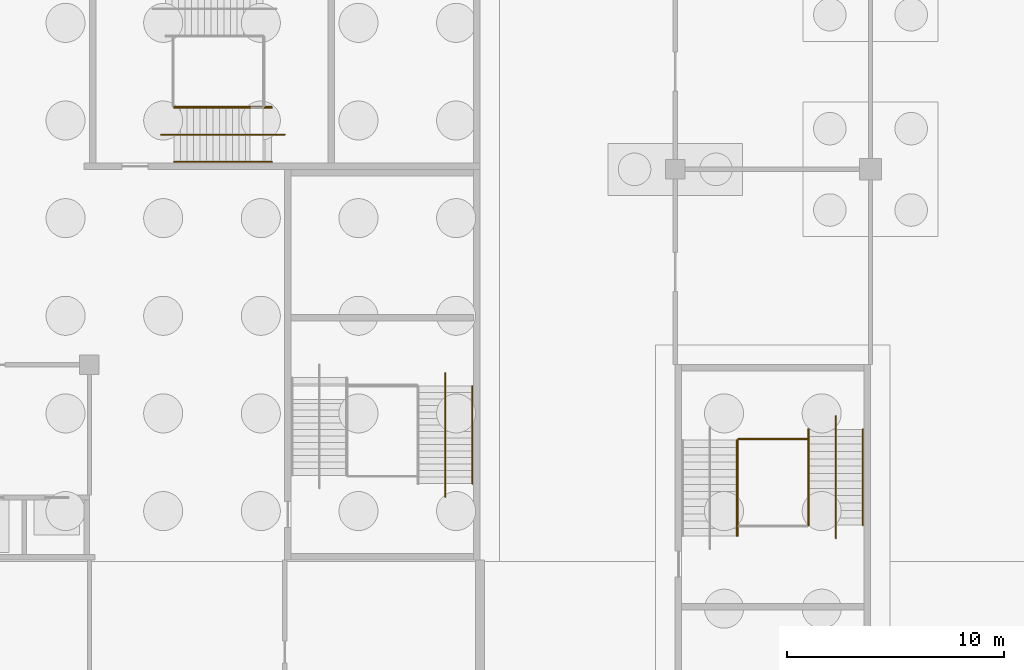
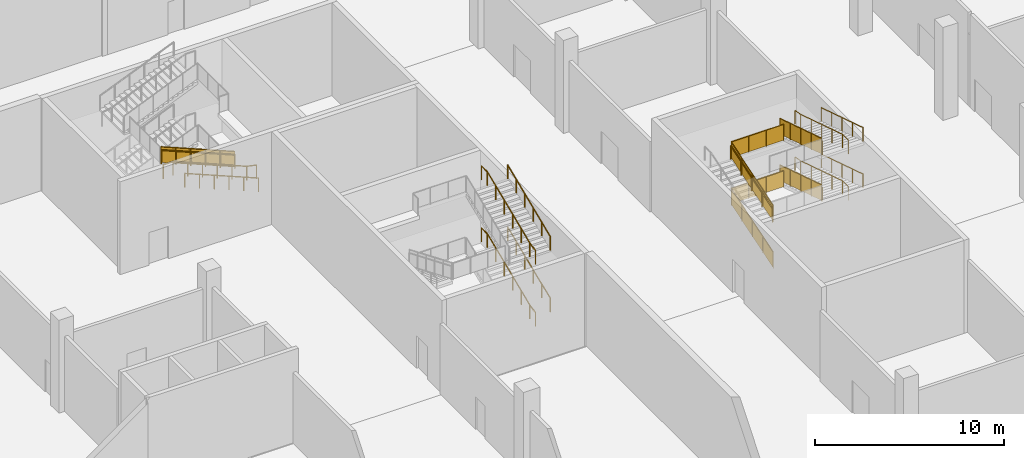
# One storey, part 39 of 42: 21 railings.
"""IFC4 building model written with IfcOpenShell, lengths in metres."""

from ifc_helpers import new_model, si_unit, direction, frame, origin, origin_2d, place, context, subcontext, project, spatial, polyline, circle, outline, extrude, material, type_object, element, save


model = new_model("IFC4")

# Units and contexts
model_context = context("Model", 3, precision=1e-05, world=origin(), true_north=direction((0.0, 1.0)))
body_context = subcontext(model_context, "Body", "Model", "MODEL_VIEW")
ifc_project = project(units=[si_unit("LENGTHUNIT", "METRE"), si_unit("AREAUNIT", "SQUARE_METRE"), si_unit("VOLUMEUNIT", "CUBIC_METRE"), si_unit("PLANEANGLEUNIT", "RADIAN"), si_unit("MASSUNIT", "GRAM", prefix="KILO")], contexts=[model_context])

# Site, building, storey
site_placement = place(None, origin())
site = spatial("IfcSite", under=ifc_project, at=site_placement, CompositionType="ELEMENT")
building_placement = place(site_placement, origin())
building = spatial("IfcBuilding", under=site, at=building_placement, Name="Silverbay Arena", CompositionType="ELEMENT")
storey_placement = place(building_placement, frame((0.0, 0.0, -6.0)))
storey = spatial("IfcBuildingStorey", under=building, at=storey_placement, Name="B1", CompositionType="ELEMENT", Elevation=-6.0)

# Railings
ifc_material_1 = material(Name="Stainless steel", Category="steel")
railing_type_1 = type_object("IfcRailingType", Name="Stair guard 1100", PredefinedType="GUARDRAIL", material=ifc_material_1)
railing_1_placement = place(storey_placement, frame((200.875, 100.100830078125, 0.107177734375)))
element("IfcRailing", 1, at=railing_1_placement, inside=storey, type_object=railing_type_1, Name="Stair ST-E2 B1 to L00 flight 1 guard right", PredefinedType="GUARDRAIL", context=body_context, shape_type="SweptSolid", body=[
    extrude(circle(Radius=0.02392578125, at=origin_2d()), frame((0.0, 0.0, 1.076171875), z_axis=(0.0, 0.953769580967, 0.300538826811), x_axis=(-1.0, 0.0, 0.0)), (0.0, 0.0, 1.0), 4.634521484375),
    extrude(outline(polyline([(-0.008056640625, 0.04736328125), (1.113037109375, 0.400634765625), (1.113037109375, 1.40380859375), (-0.008056640625, 1.050537109375), (-0.008056640625, 0.04736328125)])), frame((-0.0029296875, 0.0, 0.0), z_axis=(1.0, 0.0, 0.0), x_axis=(0.0, 1.0, 0.0)), (0.0, 0.0, 1.0), 0.006103515625),
    extrude(outline(polyline([(-0.008056640625, 0.395751953125), (1.113037109375, 0.7490234375), (1.113037109375, 1.751953125), (-0.008056640625, 1.398681640625), (-0.008056640625, 0.395751953125)])), frame((-0.0029296875, 1.10498046875, 0.0), z_axis=(1.0, 0.0, 0.0), x_axis=(0.0, 1.0, 0.0)), (0.0, 0.0, 1.0), 0.006103515625),
    extrude(outline(polyline([(-0.008056640625, 0.743896484375), (1.113037109375, 1.09716796875), (1.113037109375, 2.10009765625), (-0.008056640625, 1.746826171875), (-0.008056640625, 0.743896484375)])), frame((-0.0029296875, 2.2099609375, 0.0), z_axis=(1.0, 0.0, 0.0), x_axis=(0.0, 1.0, 0.0)), (0.0, 0.0, 1.0), 0.006103515625),
    extrude(outline(polyline([(-0.008056640625, 1.092041015625), (1.113037109375, 1.4453125), (1.113037109375, 2.4482421875), (-0.008056640625, 2.09521484375), (-0.008056640625, 1.092041015625)])), frame((-0.0029296875, 3.315185546875, 0.0), z_axis=(1.0, 0.0, 0.0), x_axis=(0.0, 1.0, 0.0)), (0.0, 0.0, 1.0), 0.006103515625),
    extrude(circle(Radius=0.02099609375, at=origin_2d()), origin(), (0.0, 0.0, 1.0), 1.052001953125),
    extrude(circle(Radius=0.02099609375, at=origin_2d()), frame((0.0, 1.10498046875, 0.34814453125)), (0.0, 0.0, 1.0), 1.052001953125),
    extrude(circle(Radius=0.02099609375, at=origin_2d()), frame((0.0, 2.2099609375, 0.6962890625)), (0.0, 0.0, 1.0), 1.052001953125),
    extrude(circle(Radius=0.02099609375, at=origin_2d()), frame((0.0, 3.315185546875, 1.044677734375)), (0.0, 0.0, 1.0), 1.052001953125),
    extrude(circle(Radius=0.02099609375, at=origin_2d()), frame((0.0, 4.420166015625, 1.392822265625)), (0.0, 0.0, 1.0), 1.052001953125),
])
railing_2_placement = place(storey_placement, frame((204.125, 105.02001953125, 1.607177734375)))
element("IfcRailing", 2, at=railing_2_placement, inside=storey, type_object=railing_type_1, Name="Stair ST-E2 B1 to L00 flight 2 guard left", PredefinedType="GUARDRAIL", context=body_context, shape_type="SweptSolid", body=[
    extrude(circle(Radius=0.02392578125, at=origin_2d()), frame((0.0, 0.0, 1.076171875), z_axis=(0.0, -0.953764822371, 0.300553927951), x_axis=(1.0, 0.0, 0.0)), (0.0, 0.0, 1.0), 4.63427734375),
    extrude(outline(polyline([(-0.008056640625, 0.04736328125), (1.113037109375, 0.400634765625), (1.113037109375, 1.40380859375), (-0.008056640625, 1.050537109375), (-0.008056640625, 0.04736328125)])), frame((0.0029296875, 0.0, 0.0), z_axis=(-1.0, 0.0, 0.0), x_axis=(0.0, -1.0, 0.0)), (0.0, 0.0, 1.0), 0.006103515625),
    extrude(outline(polyline([(-0.008056640625, 0.395751953125), (1.113037109375, 0.7490234375), (1.113037109375, 1.751953125), (-0.008056640625, 1.398681640625), (-0.008056640625, 0.395751953125)])), frame((0.0029296875, -1.10498046875, 0.0), z_axis=(-1.0, 0.0, 0.0), x_axis=(0.0, -1.0, 0.0)), (0.0, 0.0, 1.0), 0.006103515625),
    extrude(outline(polyline([(-0.008056640625, 0.743896484375), (1.113037109375, 1.09716796875), (1.113037109375, 2.10009765625), (-0.008056640625, 1.746826171875), (-0.008056640625, 0.743896484375)])), frame((0.0029296875, -2.2099609375, 0.0), z_axis=(-1.0, 0.0, 0.0), x_axis=(0.0, -1.0, 0.0)), (0.0, 0.0, 1.0), 0.006103515625),
    extrude(outline(polyline([(-0.008056640625, 1.092041015625), (1.113037109375, 1.4453125), (1.113037109375, 2.4482421875), (-0.008056640625, 2.09521484375), (-0.008056640625, 1.092041015625)])), frame((0.0029296875, -3.31494140625, 0.0), z_axis=(-1.0, 0.0, 0.0), x_axis=(0.0, -1.0, 0.0)), (0.0, 0.0, 1.0), 0.006103515625),
    extrude(circle(Radius=0.02099609375, at=origin_2d()), origin(), (0.0, 0.0, 1.0), 1.052001953125),
    extrude(circle(Radius=0.02099609375, at=origin_2d()), frame((0.0, -1.10498046875, 0.34814453125)), (0.0, 0.0, 1.0), 1.052001953125),
    extrude(circle(Radius=0.02099609375, at=origin_2d()), frame((0.0, -2.2099609375, 0.6962890625)), (0.0, 0.0, 1.0), 1.052001953125),
    extrude(circle(Radius=0.02099609375, at=origin_2d()), frame((0.0, -3.31494140625, 1.044677734375)), (0.0, 0.0, 1.0), 1.052001953125),
    extrude(circle(Radius=0.02099609375, at=origin_2d()), frame((0.0, -4.419921875, 1.392822265625)), (0.0, 0.0, 1.0), 1.052001953125),
])
railing_3_placement = place(storey_placement, frame((200.875, 100.100830078125, 3.107177734375)))
element("IfcRailing", 3, at=railing_3_placement, inside=storey, type_object=railing_type_1, Name="Stair ST-E2 B1 to L00 flight 3 guard right", PredefinedType="GUARDRAIL", context=body_context, shape_type="SweptSolid", body=[
    extrude(circle(Radius=0.02392578125, at=origin_2d()), frame((0.0, 0.0, 1.076171875), z_axis=(0.0, 0.953769580967, 0.300538826811), x_axis=(-1.0, 0.0, 0.0)), (0.0, 0.0, 1.0), 4.634521484375),
    extrude(outline(polyline([(-0.008056640625, 0.04736328125), (1.113037109375, 0.400634765625), (1.113037109375, 1.40380859375), (-0.008056640625, 1.050537109375), (-0.008056640625, 0.04736328125)])), frame((-0.0029296875, 0.0, 0.0), z_axis=(1.0, 0.0, 0.0), x_axis=(0.0, 1.0, 0.0)), (0.0, 0.0, 1.0), 0.006103515625),
    extrude(outline(polyline([(-0.008056640625, 0.395751953125), (1.113037109375, 0.7490234375), (1.113037109375, 1.751953125), (-0.008056640625, 1.398681640625), (-0.008056640625, 0.395751953125)])), frame((-0.0029296875, 1.10498046875, 0.0), z_axis=(1.0, 0.0, 0.0), x_axis=(0.0, 1.0, 0.0)), (0.0, 0.0, 1.0), 0.006103515625),
    extrude(outline(polyline([(-0.008056640625, 0.743896484375), (1.113037109375, 1.09716796875), (1.113037109375, 2.10009765625), (-0.008056640625, 1.746826171875), (-0.008056640625, 0.743896484375)])), frame((-0.0029296875, 2.2099609375, 0.0), z_axis=(1.0, 0.0, 0.0), x_axis=(0.0, 1.0, 0.0)), (0.0, 0.0, 1.0), 0.006103515625),
    extrude(outline(polyline([(-0.008056640625, 1.092041015625), (1.113037109375, 1.4453125), (1.113037109375, 2.4482421875), (-0.008056640625, 2.09521484375), (-0.008056640625, 1.092041015625)])), frame((-0.0029296875, 3.315185546875, 0.0), z_axis=(1.0, 0.0, 0.0), x_axis=(0.0, 1.0, 0.0)), (0.0, 0.0, 1.0), 0.006103515625),
    extrude(circle(Radius=0.02099609375, at=origin_2d()), origin(), (0.0, 0.0, 1.0), 1.052001953125),
    extrude(circle(Radius=0.02099609375, at=origin_2d()), frame((0.0, 1.10498046875, 0.34814453125)), (0.0, 0.0, 1.0), 1.052001953125),
    extrude(circle(Radius=0.02099609375, at=origin_2d()), frame((0.0, 2.2099609375, 0.6962890625)), (0.0, 0.0, 1.0), 1.052001953125),
    extrude(circle(Radius=0.02099609375, at=origin_2d()), frame((0.0, 3.315185546875, 1.044677734375)), (0.0, 0.0, 1.0), 1.052001953125),
    extrude(circle(Radius=0.02099609375, at=origin_2d()), frame((0.0, 4.420166015625, 1.392822265625)), (0.0, 0.0, 1.0), 1.052001953125),
])
railing_4_placement = place(storey_placement, frame((204.125, 105.02001953125, 4.607177734375)))
element("IfcRailing", 4, at=railing_4_placement, inside=storey, type_object=railing_type_1, Name="Stair ST-E2 B1 to L00 flight 4 guard left", PredefinedType="GUARDRAIL", context=body_context, shape_type="SweptSolid", body=[
    extrude(circle(Radius=0.02392578125, at=origin_2d()), frame((0.0, 0.0, 1.076171875), z_axis=(0.0, -0.953764822371, 0.300553927951), x_axis=(1.0, 0.0, 0.0)), (0.0, 0.0, 1.0), 4.63427734375),
    extrude(outline(polyline([(-0.008056640625, 0.04736328125), (1.113037109375, 0.400634765625), (1.113037109375, 1.40380859375), (-0.008056640625, 1.050537109375), (-0.008056640625, 0.04736328125)])), frame((0.0029296875, 0.0, 0.0), z_axis=(-1.0, 0.0, 0.0), x_axis=(0.0, -1.0, 0.0)), (0.0, 0.0, 1.0), 0.006103515625),
    extrude(outline(polyline([(-0.008056640625, 0.395751953125), (1.113037109375, 0.7490234375), (1.113037109375, 1.751953125), (-0.008056640625, 1.398681640625), (-0.008056640625, 0.395751953125)])), frame((0.0029296875, -1.10498046875, 0.0), z_axis=(-1.0, 0.0, 0.0), x_axis=(0.0, -1.0, 0.0)), (0.0, 0.0, 1.0), 0.006103515625),
    extrude(outline(polyline([(-0.008056640625, 0.743896484375), (1.113037109375, 1.09716796875), (1.113037109375, 2.10009765625), (-0.008056640625, 1.746826171875), (-0.008056640625, 0.743896484375)])), frame((0.0029296875, -2.2099609375, 0.0), z_axis=(-1.0, 0.0, 0.0), x_axis=(0.0, -1.0, 0.0)), (0.0, 0.0, 1.0), 0.006103515625),
    extrude(outline(polyline([(-0.008056640625, 1.092041015625), (1.113037109375, 1.4453125), (1.113037109375, 2.4482421875), (-0.008056640625, 2.09521484375), (-0.008056640625, 1.092041015625)])), frame((0.0029296875, -3.31494140625, 0.0), z_axis=(-1.0, 0.0, 0.0), x_axis=(0.0, -1.0, 0.0)), (0.0, 0.0, 1.0), 0.006103515625),
    extrude(circle(Radius=0.02099609375, at=origin_2d()), origin(), (0.0, 0.0, 1.0), 1.052001953125),
    extrude(circle(Radius=0.02099609375, at=origin_2d()), frame((0.0, -1.10498046875, 0.34814453125)), (0.0, 0.0, 1.0), 1.052001953125),
    extrude(circle(Radius=0.02099609375, at=origin_2d()), frame((0.0, -2.2099609375, 0.6962890625)), (0.0, 0.0, 1.0), 1.052001953125),
    extrude(circle(Radius=0.02099609375, at=origin_2d()), frame((0.0, -3.31494140625, 1.044677734375)), (0.0, 0.0, 1.0), 1.052001953125),
    extrude(circle(Radius=0.02099609375, at=origin_2d()), frame((0.0, -4.419921875, 1.392822265625)), (0.0, 0.0, 1.0), 1.052001953125),
])
for number, where, name in (
    (5, (200.89990234375, 104.571044921875, 1.5), "Stair ST-E2 B1 to L00 landing 1 guard"),
    (6, (200.89990234375, 104.571044921875, 4.5), "Stair ST-E2 B1 to L00 landing 3 guard"),
):
    element("IfcRailing", number, at=place(storey_placement, frame(where)), inside=storey, type_object=railing_type_1, Name=name, PredefinedType="GUARDRAIL", context=body_context, shape_type="SweptSolid", body=[
        extrude(circle(Radius=0.02392578125, at=origin_2d()), frame((0.0, 0.0, 1.076171875), z_axis=(1.0, 0.0, 0.0), x_axis=(0.0, 1.0, 0.0)), (0.0, 0.0, 1.0), 3.2001953125),
        extrude(outline(polyline([(-0.008056640625, 0.050048828125), (1.07470703125, 0.050048828125), (1.07470703125, 1.052978515625), (-0.008056640625, 1.052978515625), (-0.008056640625, 0.050048828125)])), frame((0.0, 0.0029296875, 0.0), z_axis=(0.0, -1.0, 0.0), x_axis=(1.0, 0.0, 0.0)), (0.0, 0.0, 1.0), 0.006103515625),
        extrude(outline(polyline([(-0.008056640625, 0.050048828125), (1.07470703125, 0.050048828125), (1.07470703125, 1.052978515625), (-0.008056640625, 1.052978515625), (-0.008056640625, 0.050048828125)])), frame((1.066650390625, 0.0029296875, 0.0), z_axis=(0.0, -1.0, 0.0), x_axis=(1.0, 0.0, 0.0)), (0.0, 0.0, 1.0), 0.006103515625),
        extrude(outline(polyline([(-0.008056640625, 0.050048828125), (1.07470703125, 0.050048828125), (1.07470703125, 1.052978515625), (-0.008056640625, 1.052978515625), (-0.008056640625, 0.050048828125)])), frame((2.133544921875, 0.0029296875, 0.0), z_axis=(0.0, -1.0, 0.0), x_axis=(1.0, 0.0, 0.0)), (0.0, 0.0, 1.0), 0.006103515625),
        extrude(circle(Radius=0.02099609375, at=origin_2d()), origin(), (0.0, 0.0, 1.0), 1.052001953125),
        extrude(circle(Radius=0.02099609375, at=origin_2d()), frame((1.066650390625, 0.0, 0.0)), (0.0, 0.0, 1.0), 1.052001953125),
        extrude(circle(Radius=0.02099609375, at=origin_2d()), frame((2.133544921875, 0.0, 0.0)), (0.0, 0.0, 1.0), 1.052001953125),
        extrude(circle(Radius=0.02099609375, at=origin_2d()), frame((3.2001953125, 0.0, 0.0)), (0.0, 0.0, 1.0), 1.052001953125),
    ])
railing_5_placement = place(storey_placement, frame((179.39990234375, 119.875, 2.125)))
element("IfcRailing", 7, at=railing_5_placement, inside=storey, type_object=railing_type_1, Name="Stair ST-NE1 B1 to L00 flight 2 guard right", PredefinedType="GUARDRAIL", context=body_context, shape_type="SweptSolid", body=[
    extrude(circle(Radius=0.02392578125, at=origin_2d()), frame((0.0, 0.0, 1.076171875), z_axis=(-0.923076923077, 0.0, 0.384615384615), x_axis=(0.0, -1.0, 0.0)), (0.0, 0.0, 1.0), 4.875),
    extrude(outline(polyline([(-0.008056640625, 0.046630859375), (0.907958984375, 0.42822265625), (0.907958984375, 1.431396484375), (-0.008056640625, 1.049560546875), (-0.008056640625, 0.046630859375)])), frame((0.0, -0.0029296875, 0.0), z_axis=(0.0, 1.0, 0.0), x_axis=(-1.0, 0.0, 0.0)), (0.0, 0.0, 1.0), 0.006103515625),
    extrude(outline(polyline([(-0.008056640625, 0.421630859375), (0.907958984375, 0.80322265625), (0.907958984375, 1.806396484375), (-0.008056640625, 1.424560546875), (-0.008056640625, 0.421630859375)])), frame((-0.89990234375, -0.0029296875, 0.0), z_axis=(0.0, 1.0, 0.0), x_axis=(-1.0, 0.0, 0.0)), (0.0, 0.0, 1.0), 0.006103515625),
    extrude(outline(polyline([(-0.008056640625, 0.796630859375), (0.907958984375, 1.17822265625), (0.907958984375, 2.181396484375), (-0.008056640625, 1.799560546875), (-0.008056640625, 0.796630859375)])), frame((-1.800048828125, -0.0029296875, 0.0), z_axis=(0.0, 1.0, 0.0), x_axis=(-1.0, 0.0, 0.0)), (0.0, 0.0, 1.0), 0.006103515625),
    extrude(outline(polyline([(-0.008056640625, 1.171630859375), (0.907958984375, 1.55322265625), (0.907958984375, 2.556396484375), (-0.008056640625, 2.174560546875), (-0.008056640625, 1.171630859375)])), frame((-2.699951171875, -0.0029296875, 0.0), z_axis=(0.0, 1.0, 0.0), x_axis=(-1.0, 0.0, 0.0)), (0.0, 0.0, 1.0), 0.006103515625),
    extrude(outline(polyline([(-0.008056640625, 1.546630859375), (0.907958984375, 1.92822265625), (0.907958984375, 2.931396484375), (-0.008056640625, 2.549560546875), (-0.008056640625, 1.546630859375)])), frame((-3.60009765625, -0.0029296875, 0.0), z_axis=(0.0, 1.0, 0.0), x_axis=(-1.0, 0.0, 0.0)), (0.0, 0.0, 1.0), 0.006103515625),
    extrude(circle(Radius=0.02099609375, at=origin_2d()), origin(), (0.0, 0.0, 1.0), 1.052001953125),
    extrude(circle(Radius=0.02099609375, at=origin_2d()), frame((-0.89990234375, 0.0, 0.375)), (0.0, 0.0, 1.0), 1.052001953125),
    extrude(circle(Radius=0.02099609375, at=origin_2d()), frame((-1.800048828125, 0.0, 0.75)), (0.0, 0.0, 1.0), 1.052001953125),
    extrude(circle(Radius=0.02099609375, at=origin_2d()), frame((-2.699951171875, 0.0, 1.125)), (0.0, 0.0, 1.0), 1.052001953125),
    extrude(circle(Radius=0.02099609375, at=origin_2d()), frame((-3.60009765625, 0.0, 1.5)), (0.0, 0.0, 1.0), 1.052001953125),
    extrude(circle(Radius=0.02099609375, at=origin_2d()), frame((-4.5, 0.0, 1.875)), (0.0, 0.0, 1.0), 1.052001953125),
])
ifc_material_2 = material(Name="Stainless steel", Category="steel")
railing_type_2 = type_object("IfcRailingType", Name="Stair handrail 900", PredefinedType="HANDRAIL", material=ifc_material_2)
for number, where, name in (
    (8, (204.1640625, 105.02001953125, 1.607177734375), "Stair ST-E2 B1 to L00 flight 2 handrail left"),
    (9, (206.64990234375, 105.02001953125, 1.607177734375), "Stair ST-E2 B1 to L00 flight 2 handrail right"),
):
    element("IfcRailing", number, at=place(storey_placement, frame(where)), inside=storey, type_object=railing_type_2, Name=name, PredefinedType="HANDRAIL", context=body_context, shape_type="SweptSolid", body=[
        extrude(circle(Radius=0.02392578125, at=origin_2d()), frame((0.0, 0.0, 0.8759765625), z_axis=(0.0, -0.953764822371, 0.300553927951), x_axis=(1.0, 0.0, 0.0)), (0.0, 0.0, 1.0), 4.63427734375),
        extrude(circle(Radius=0.02099609375, at=origin_2d()), origin(), (0.0, 0.0, 1.0), 0.851806640625),
        extrude(circle(Radius=0.02099609375, at=origin_2d()), frame((0.0, -1.10498046875, 0.34814453125)), (0.0, 0.0, 1.0), 0.851806640625),
        extrude(circle(Radius=0.02099609375, at=origin_2d()), frame((0.0, -2.2099609375, 0.6962890625)), (0.0, 0.0, 1.0), 0.851806640625),
        extrude(circle(Radius=0.02099609375, at=origin_2d()), frame((0.0, -3.31494140625, 1.044677734375)), (0.0, 0.0, 1.0), 0.851806640625),
        extrude(circle(Radius=0.02099609375, at=origin_2d()), frame((0.0, -4.419921875, 1.392822265625)), (0.0, 0.0, 1.0), 0.851806640625),
    ])
railing_6_placement = place(storey_placement, frame((205.39990234375, 105.6201171875, 1.5)))
element("IfcRailing", 10, at=railing_6_placement, inside=storey, type_object=railing_type_2, Name="Stair ST-E2 B1 to L00 flight 2 central handrail", PredefinedType="HANDRAIL", context=body_context, shape_type="SweptSolid", body=[
    extrude(circle(Radius=0.02392578125, at=origin_2d()), frame((0.0, 0.0, 0.8759765625), z_axis=(0.0, -0.984422624594, 0.175818361349), x_axis=(1.0, 0.0, 0.0)), (0.0, 0.0, 1.0), 0.609619140625),
    extrude(circle(Radius=0.02392578125, at=origin_2d()), frame((0.0, -0.60009765625, 0.98291015625), z_axis=(0.0, -0.953764822371, 0.300553927951), x_axis=(1.0, 0.0, 0.0)), (0.0, 0.0, 1.0), 4.63427734375),
    extrude(circle(Radius=0.02392578125, at=origin_2d()), frame((0.0, -5.02001953125, 2.3759765625), z_axis=(0.0, -1.0, 0.0), x_axis=(1.0, 0.0, 0.0)), (0.0, 0.0, 1.0), 0.60009765625),
    extrude(circle(Radius=0.02099609375, at=origin_2d()), origin(), (0.0, 0.0, 1.0), 0.851806640625),
    extrude(circle(Radius=0.02099609375, at=origin_2d()), frame((0.0, -0.60009765625, 0.107177734375)), (0.0, 0.0, 1.0), 0.851806640625),
    extrude(circle(Radius=0.02099609375, at=origin_2d()), frame((0.0, -1.705078125, 0.455322265625)), (0.0, 0.0, 1.0), 0.851806640625),
    extrude(circle(Radius=0.02099609375, at=origin_2d()), frame((0.0, -2.81005859375, 0.8037109375)), (0.0, 0.0, 1.0), 0.851806640625),
    extrude(circle(Radius=0.02099609375, at=origin_2d()), frame((0.0, -3.9150390625, 1.15185546875)), (0.0, 0.0, 1.0), 0.851806640625),
    extrude(circle(Radius=0.02099609375, at=origin_2d()), frame((0.0, -5.02001953125, 1.5)), (0.0, 0.0, 1.0), 0.851806640625),
    extrude(circle(Radius=0.02099609375, at=origin_2d()), frame((0.0, -5.6201171875, 1.5)), (0.0, 0.0, 1.0), 0.851806640625),
])
railing_7_placement = place(storey_placement, frame((200.8359375, 100.100830078125, 3.107177734375)))
element("IfcRailing", 11, at=railing_7_placement, inside=storey, type_object=railing_type_2, Name="Stair ST-E2 B1 to L00 flight 3 handrail right", PredefinedType="HANDRAIL", context=body_context, shape_type="SweptSolid", body=[
    extrude(circle(Radius=0.02392578125, at=origin_2d()), frame((0.0, 0.0, 0.8759765625), z_axis=(0.0, 0.953769580967, 0.300538826811), x_axis=(-1.0, 0.0, 0.0)), (0.0, 0.0, 1.0), 4.634521484375),
    extrude(circle(Radius=0.02099609375, at=origin_2d()), origin(), (0.0, 0.0, 1.0), 0.851806640625),
    extrude(circle(Radius=0.02099609375, at=origin_2d()), frame((0.0, 1.10498046875, 0.34814453125)), (0.0, 0.0, 1.0), 0.851806640625),
    extrude(circle(Radius=0.02099609375, at=origin_2d()), frame((0.0, 2.2099609375, 0.6962890625)), (0.0, 0.0, 1.0), 0.851806640625),
    extrude(circle(Radius=0.02099609375, at=origin_2d()), frame((0.0, 3.315185546875, 1.044677734375)), (0.0, 0.0, 1.0), 0.851806640625),
    extrude(circle(Radius=0.02099609375, at=origin_2d()), frame((0.0, 4.420166015625, 1.392822265625)), (0.0, 0.0, 1.0), 0.851806640625),
])
for number, where, name in (
    (12, (204.1640625, 105.02001953125, 4.607177734375), "Stair ST-E2 B1 to L00 flight 4 handrail left"),
    (13, (206.64990234375, 105.02001953125, 4.607177734375), "Stair ST-E2 B1 to L00 flight 4 handrail right"),
):
    element("IfcRailing", number, at=place(storey_placement, frame(where)), inside=storey, type_object=railing_type_2, Name=name, PredefinedType="HANDRAIL", context=body_context, shape_type="SweptSolid", body=[
        extrude(circle(Radius=0.02392578125, at=origin_2d()), frame((0.0, 0.0, 0.8759765625), z_axis=(0.0, -0.953764822371, 0.300553927951), x_axis=(1.0, 0.0, 0.0)), (0.0, 0.0, 1.0), 4.63427734375),
        extrude(circle(Radius=0.02099609375, at=origin_2d()), origin(), (0.0, 0.0, 1.0), 0.851806640625),
        extrude(circle(Radius=0.02099609375, at=origin_2d()), frame((0.0, -1.10498046875, 0.34814453125)), (0.0, 0.0, 1.0), 0.851806640625),
        extrude(circle(Radius=0.02099609375, at=origin_2d()), frame((0.0, -2.2099609375, 0.6962890625)), (0.0, 0.0, 1.0), 0.851806640625),
        extrude(circle(Radius=0.02099609375, at=origin_2d()), frame((0.0, -3.31494140625, 1.044677734375)), (0.0, 0.0, 1.0), 0.851806640625),
        extrude(circle(Radius=0.02099609375, at=origin_2d()), frame((0.0, -4.419921875, 1.392822265625)), (0.0, 0.0, 1.0), 0.851806640625),
    ])
railing_8_placement = place(storey_placement, frame((205.39990234375, 105.6201171875, 4.5)))
element("IfcRailing", 14, at=railing_8_placement, inside=storey, type_object=railing_type_2, Name="Stair ST-E2 B1 to L00 flight 4 central handrail", PredefinedType="HANDRAIL", context=body_context, shape_type="SweptSolid", body=[
    extrude(circle(Radius=0.02392578125, at=origin_2d()), frame((0.0, 0.0, 0.8759765625), z_axis=(0.0, -0.984422624594, 0.175818361349), x_axis=(1.0, 0.0, 0.0)), (0.0, 0.0, 1.0), 0.609619140625),
    extrude(circle(Radius=0.02392578125, at=origin_2d()), frame((0.0, -0.60009765625, 0.98291015625), z_axis=(0.0, -0.953764822371, 0.300553927951), x_axis=(1.0, 0.0, 0.0)), (0.0, 0.0, 1.0), 4.63427734375),
    extrude(circle(Radius=0.02392578125, at=origin_2d()), frame((0.0, -5.02001953125, 2.3759765625), z_axis=(0.0, -1.0, 0.0), x_axis=(1.0, 0.0, 0.0)), (0.0, 0.0, 1.0), 0.60009765625),
    extrude(circle(Radius=0.02099609375, at=origin_2d()), origin(), (0.0, 0.0, 1.0), 0.851806640625),
    extrude(circle(Radius=0.02099609375, at=origin_2d()), frame((0.0, -0.60009765625, 0.107177734375)), (0.0, 0.0, 1.0), 0.851806640625),
    extrude(circle(Radius=0.02099609375, at=origin_2d()), frame((0.0, -1.705078125, 0.455322265625)), (0.0, 0.0, 1.0), 0.851806640625),
    extrude(circle(Radius=0.02099609375, at=origin_2d()), frame((0.0, -2.81005859375, 0.8037109375)), (0.0, 0.0, 1.0), 0.851806640625),
    extrude(circle(Radius=0.02099609375, at=origin_2d()), frame((0.0, -3.9150390625, 1.15185546875)), (0.0, 0.0, 1.0), 0.851806640625),
    extrude(circle(Radius=0.02099609375, at=origin_2d()), frame((0.0, -5.02001953125, 1.5)), (0.0, 0.0, 1.0), 0.851806640625),
    extrude(circle(Radius=0.02099609375, at=origin_2d()), frame((0.0, -5.6201171875, 1.5)), (0.0, 0.0, 1.0), 0.851806640625),
])
for number, where, name in (
    (15, (179.39990234375, 117.35009765625, 2.125), "Stair ST-NE1 B1 to L00 flight 2 handrail left"),
    (16, (179.39990234375, 119.8359375, 2.125), "Stair ST-NE1 B1 to L00 flight 2 handrail right"),
):
    element("IfcRailing", number, at=place(storey_placement, frame(where)), inside=storey, type_object=railing_type_2, Name=name, PredefinedType="HANDRAIL", context=body_context, shape_type="SweptSolid", body=[
        extrude(circle(Radius=0.02392578125, at=origin_2d()), frame((0.0, 0.0, 0.8759765625), z_axis=(-0.923076923077, 0.0, 0.384615384615), x_axis=(0.0, -1.0, 0.0)), (0.0, 0.0, 1.0), 4.875),
        extrude(circle(Radius=0.02099609375, at=origin_2d()), origin(), (0.0, 0.0, 1.0), 0.851806640625),
        extrude(circle(Radius=0.02099609375, at=origin_2d()), frame((-0.89990234375, 0.0, 0.375)), (0.0, 0.0, 1.0), 0.851806640625),
        extrude(circle(Radius=0.02099609375, at=origin_2d()), frame((-1.800048828125, 0.0, 0.75)), (0.0, 0.0, 1.0), 0.851806640625),
        extrude(circle(Radius=0.02099609375, at=origin_2d()), frame((-2.699951171875, 0.0, 1.125)), (0.0, 0.0, 1.0), 0.851806640625),
        extrude(circle(Radius=0.02099609375, at=origin_2d()), frame((-3.60009765625, 0.0, 1.5)), (0.0, 0.0, 1.0), 0.851806640625),
        extrude(circle(Radius=0.02099609375, at=origin_2d()), frame((-4.5, 0.0, 1.875)), (0.0, 0.0, 1.0), 0.851806640625),
    ])
railing_9_placement = place(storey_placement, frame((180.0, 118.60009765625, 2.0)))
element("IfcRailing", 17, at=railing_9_placement, inside=storey, type_object=railing_type_2, Name="Stair ST-NE1 B1 to L00 flight 2 central handrail", PredefinedType="HANDRAIL", context=body_context, shape_type="SweptSolid", body=[
    extrude(circle(Radius=0.02392578125, at=origin_2d()), frame((0.0, 0.0, 0.8759765625), z_axis=(-0.978987046276, 0.0, 0.203922444139), x_axis=(0.0, -1.0, 0.0)), (0.0, 0.0, 1.0), 0.613037109375),
    extrude(circle(Radius=0.02392578125, at=origin_2d()), frame((-0.60009765625, 0.0, 1.0009765625), z_axis=(-0.923076923077, 0.0, 0.384615384615), x_axis=(0.0, -1.0, 0.0)), (0.0, 0.0, 1.0), 4.875),
    extrude(circle(Radius=0.02392578125, at=origin_2d()), frame((-5.10009765625, 0.0, 2.8759765625), z_axis=(-1.0, 0.0, 0.0), x_axis=(0.0, -1.0, 0.0)), (0.0, 0.0, 1.0), 0.599853515625),
    extrude(circle(Radius=0.02099609375, at=origin_2d()), origin(), (0.0, 0.0, 1.0), 0.851806640625),
    extrude(circle(Radius=0.02099609375, at=origin_2d()), frame((-0.60009765625, 0.0, 0.125)), (0.0, 0.0, 1.0), 0.851806640625),
    extrude(circle(Radius=0.02099609375, at=origin_2d()), frame((-1.5, 0.0, 0.5)), (0.0, 0.0, 1.0), 0.851806640625),
    extrude(circle(Radius=0.02099609375, at=origin_2d()), frame((-2.400146484375, 0.0, 0.875)), (0.0, 0.0, 1.0), 0.851806640625),
    extrude(circle(Radius=0.02099609375, at=origin_2d()), frame((-3.300048828125, 0.0, 1.25)), (0.0, 0.0, 1.0), 0.851806640625),
    extrude(circle(Radius=0.02099609375, at=origin_2d()), frame((-4.2001953125, 0.0, 1.625)), (0.0, 0.0, 1.0), 0.851806640625),
    extrude(circle(Radius=0.02099609375, at=origin_2d()), frame((-5.10009765625, 0.0, 2.0)), (0.0, 0.0, 1.0), 0.851806640625),
    extrude(circle(Radius=0.02099609375, at=origin_2d()), frame((-5.699951171875, 0.0, 2.0)), (0.0, 0.0, 1.0), 0.851806640625),
])
railing_10_placement = place(storey_placement, frame((188.64990234375, 102.510009765625, 0.125)))
element("IfcRailing", 18, at=railing_10_placement, inside=storey, type_object=railing_type_2, Name="Stair ST-NE2 B1 to L00 flight 1 handrail right", PredefinedType="HANDRAIL", context=body_context, shape_type="SweptSolid", body=[
    extrude(circle(Radius=0.02392578125, at=origin_2d()), frame((0.0, 0.0, 0.8759765625), z_axis=(0.0, 0.923076923077, 0.384615384615), x_axis=(-1.0, 0.0, 0.0)), (0.0, 0.0, 1.0), 4.875),
    extrude(circle(Radius=0.02099609375, at=origin_2d()), origin(), (0.0, 0.0, 1.0), 0.851806640625),
    extrude(circle(Radius=0.02099609375, at=origin_2d()), frame((0.0, 0.89990234375, 0.375)), (0.0, 0.0, 1.0), 0.851806640625),
    extrude(circle(Radius=0.02099609375, at=origin_2d()), frame((0.0, 1.800048828125, 0.75)), (0.0, 0.0, 1.0), 0.851806640625),
    extrude(circle(Radius=0.02099609375, at=origin_2d()), frame((0.0, 2.699951171875, 1.125)), (0.0, 0.0, 1.0), 0.851806640625),
    extrude(circle(Radius=0.02099609375, at=origin_2d()), frame((0.0, 3.60009765625, 1.5)), (0.0, 0.0, 1.0), 0.851806640625),
    extrude(circle(Radius=0.02099609375, at=origin_2d()), frame((0.0, 4.5, 1.875)), (0.0, 0.0, 1.0), 0.851806640625),
])
railing_11_placement = place(storey_placement, frame((187.39990234375, 101.909912109375, 0.0)))
element("IfcRailing", 19, at=railing_11_placement, inside=storey, type_object=railing_type_2, Name="Stair ST-NE2 B1 to L00 flight 1 central handrail", PredefinedType="HANDRAIL", context=body_context, shape_type="SweptSolid", body=[
    extrude(circle(Radius=0.02392578125, at=origin_2d()), frame((0.0, 0.0, 0.8759765625), z_axis=(0.0, 0.978987046276, 0.203922444139), x_axis=(-1.0, 0.0, 0.0)), (0.0, 0.0, 1.0), 0.613037109375),
    extrude(circle(Radius=0.02392578125, at=origin_2d()), frame((0.0, 0.60009765625, 1.0009765625), z_axis=(0.0, 0.923076923077, 0.384615384615), x_axis=(-1.0, 0.0, 0.0)), (0.0, 0.0, 1.0), 4.875),
    extrude(circle(Radius=0.02392578125, at=origin_2d()), frame((0.0, 5.10009765625, 2.8759765625), z_axis=(0.0, 1.0, 0.0), x_axis=(-1.0, 0.0, 0.0)), (0.0, 0.0, 1.0), 0.60009765625),
    extrude(circle(Radius=0.02099609375, at=origin_2d()), origin(), (0.0, 0.0, 1.0), 0.851806640625),
    extrude(circle(Radius=0.02099609375, at=origin_2d()), frame((0.0, 0.60009765625, 0.125)), (0.0, 0.0, 1.0), 0.851806640625),
    extrude(circle(Radius=0.02099609375, at=origin_2d()), frame((0.0, 1.5, 0.5)), (0.0, 0.0, 1.0), 0.851806640625),
    extrude(circle(Radius=0.02099609375, at=origin_2d()), frame((0.0, 2.400146484375, 0.875)), (0.0, 0.0, 1.0), 0.851806640625),
    extrude(circle(Radius=0.02099609375, at=origin_2d()), frame((0.0, 3.300048828125, 1.25)), (0.0, 0.0, 1.0), 0.851806640625),
    extrude(circle(Radius=0.02099609375, at=origin_2d()), frame((0.0, 4.2001953125, 1.625)), (0.0, 0.0, 1.0), 0.851806640625),
    extrude(circle(Radius=0.02099609375, at=origin_2d()), frame((0.0, 5.10009765625, 2.0)), (0.0, 0.0, 1.0), 0.851806640625),
    extrude(circle(Radius=0.02099609375, at=origin_2d()), frame((0.0, 5.7001953125, 2.0)), (0.0, 0.0, 1.0), 0.851806640625),
])
railing_12_placement = place(storey_placement, frame((188.64990234375, 102.510009765625, 4.125)))
element("IfcRailing", 20, at=railing_12_placement, inside=storey, type_object=railing_type_2, Name="Stair ST-NE2 B1 to L00 flight 3 handrail right", PredefinedType="HANDRAIL", context=body_context, shape_type="SweptSolid", body=[
    extrude(circle(Radius=0.02392578125, at=origin_2d()), frame((0.0, 0.0, 0.8759765625), z_axis=(0.0, 0.923076923077, 0.384615384615), x_axis=(-1.0, 0.0, 0.0)), (0.0, 0.0, 1.0), 4.875),
    extrude(circle(Radius=0.02099609375, at=origin_2d()), origin(), (0.0, 0.0, 1.0), 0.851806640625),
    extrude(circle(Radius=0.02099609375, at=origin_2d()), frame((0.0, 0.89990234375, 0.375)), (0.0, 0.0, 1.0), 0.851806640625),
    extrude(circle(Radius=0.02099609375, at=origin_2d()), frame((0.0, 1.800048828125, 0.75)), (0.0, 0.0, 1.0), 0.851806640625),
    extrude(circle(Radius=0.02099609375, at=origin_2d()), frame((0.0, 2.699951171875, 1.125)), (0.0, 0.0, 1.0), 0.851806640625),
    extrude(circle(Radius=0.02099609375, at=origin_2d()), frame((0.0, 3.60009765625, 1.5)), (0.0, 0.0, 1.0), 0.851806640625),
    extrude(circle(Radius=0.02099609375, at=origin_2d()), frame((0.0, 4.5, 1.875)), (0.0, 0.0, 1.0), 0.851806640625),
])
railing_13_placement = place(storey_placement, frame((187.39990234375, 101.909912109375, 4.0)))
element("IfcRailing", 21, at=railing_13_placement, inside=storey, type_object=railing_type_2, Name="Stair ST-NE2 B1 to L00 flight 3 central handrail", PredefinedType="HANDRAIL", context=body_context, shape_type="SweptSolid", body=[
    extrude(circle(Radius=0.02392578125, at=origin_2d()), frame((0.0, 0.0, 0.8759765625), z_axis=(0.0, 0.978987046276, 0.203922444139), x_axis=(-1.0, 0.0, 0.0)), (0.0, 0.0, 1.0), 0.613037109375),
    extrude(circle(Radius=0.02392578125, at=origin_2d()), frame((0.0, 0.60009765625, 1.0009765625), z_axis=(0.0, 0.923076923077, 0.384615384615), x_axis=(-1.0, 0.0, 0.0)), (0.0, 0.0, 1.0), 4.875),
    extrude(circle(Radius=0.02392578125, at=origin_2d()), frame((0.0, 5.10009765625, 2.8759765625), z_axis=(0.0, 1.0, 0.0), x_axis=(-1.0, 0.0, 0.0)), (0.0, 0.0, 1.0), 0.60009765625),
    extrude(circle(Radius=0.02099609375, at=origin_2d()), origin(), (0.0, 0.0, 1.0), 0.851806640625),
    extrude(circle(Radius=0.02099609375, at=origin_2d()), frame((0.0, 0.60009765625, 0.125)), (0.0, 0.0, 1.0), 0.851806640625),
    extrude(circle(Radius=0.02099609375, at=origin_2d()), frame((0.0, 1.5, 0.5)), (0.0, 0.0, 1.0), 0.851806640625),
    extrude(circle(Radius=0.02099609375, at=origin_2d()), frame((0.0, 2.400146484375, 0.875)), (0.0, 0.0, 1.0), 0.851806640625),
    extrude(circle(Radius=0.02099609375, at=origin_2d()), frame((0.0, 3.300048828125, 1.25)), (0.0, 0.0, 1.0), 0.851806640625),
    extrude(circle(Radius=0.02099609375, at=origin_2d()), frame((0.0, 4.2001953125, 1.625)), (0.0, 0.0, 1.0), 0.851806640625),
    extrude(circle(Radius=0.02099609375, at=origin_2d()), frame((0.0, 5.10009765625, 2.0)), (0.0, 0.0, 1.0), 0.851806640625),
    extrude(circle(Radius=0.02099609375, at=origin_2d()), frame((0.0, 5.7001953125, 2.0)), (0.0, 0.0, 1.0), 0.851806640625),
])

save(model, "model.ifc")
